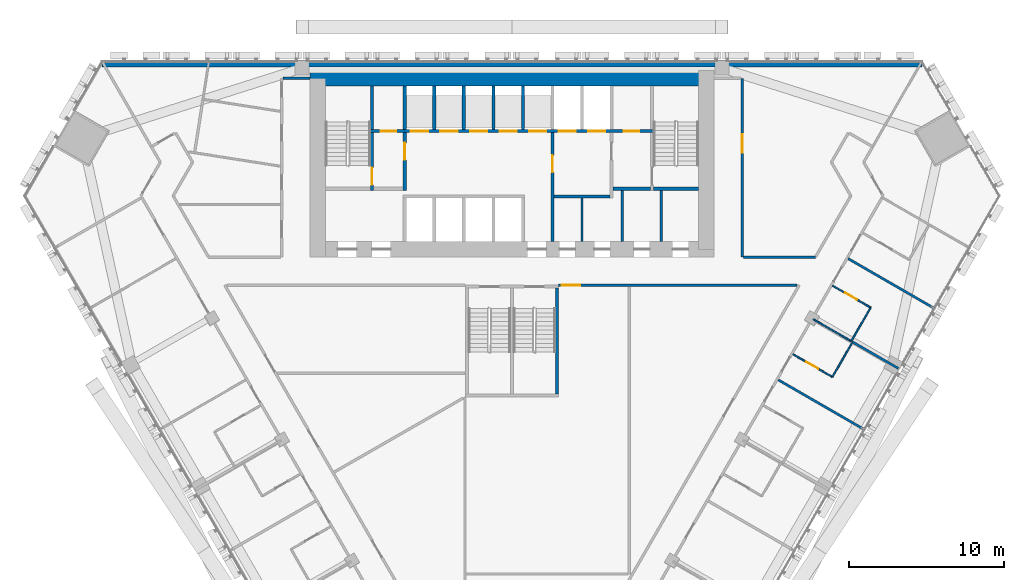
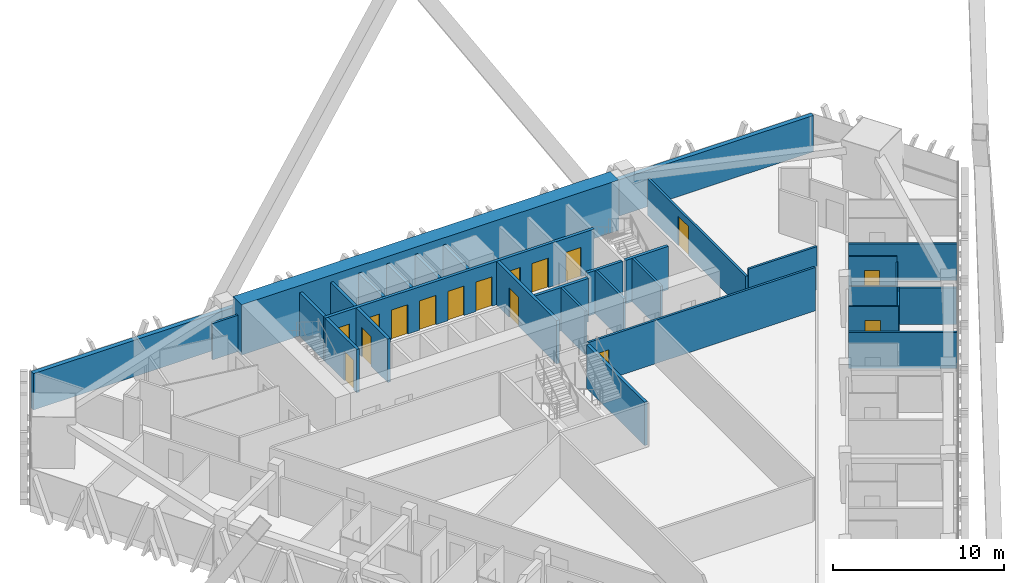
# One storey, part 19 of 24: 31 walls, 16 doors, 16 openings.
"""IFC4 building model written with IfcOpenShell, lengths in metres."""

from ifc_helpers import new_model, si_unit, direction, frame, frame_2d, origin, place, context, subcontext, project, spatial, rectangle, extrude, material, layer, layer_set, type_object, element, fill, save


model = new_model("IFC4")

# Units and contexts
model_context = context("Model", 3, precision=1e-05, world=origin(), true_north=direction((0.0, 1.0)))
body_context = subcontext(model_context, "Body", "Model", "MODEL_VIEW")
ifc_project = project(units=[si_unit("LENGTHUNIT", "METRE"), si_unit("AREAUNIT", "SQUARE_METRE"), si_unit("VOLUMEUNIT", "CUBIC_METRE"), si_unit("PLANEANGLEUNIT", "RADIAN"), si_unit("MASSUNIT", "GRAM", prefix="KILO")], contexts=[model_context])

# Site, building, storey
site_placement = place(None, origin())
site = spatial("IfcSite", under=ifc_project, at=site_placement, CompositionType="ELEMENT")
building_placement = place(site_placement, origin())
building = spatial("IfcBuilding", under=site, at=building_placement, Name="Altiplano Prism Tower", CompositionType="ELEMENT")
storey_placement = place(building_placement, frame((0.0, 0.0, 27.0)))
storey = spatial("IfcBuildingStorey", under=building, at=storey_placement, Name="L05", CompositionType="ELEMENT", Elevation=27.0)

# Walls
ifc_material_1 = material(Name="Concrete C70/85", Category="concrete")
ifc_layer_1 = layer(ifc_material_1, 1.0)
ifc_layer_set_1 = layer_set([ifc_layer_1], Name="Concrete C70/85")
wall_type_1 = type_object("IfcWallType", Name="Core wall 1000", PredefinedType="SHEAR", material=ifc_layer_set_1)
wall_1_placement = place(storey_placement, frame((97.5, 103.89990234375, 0.0), z_axis=(0.0, 0.0, 1.0), x_axis=(-1.0, 0.0, 0.0)))
element("IfcWall", 1, at=wall_1_placement, inside=storey, type_object=wall_type_1, Name="Core wall N L05", PredefinedType="SHEAR", context=body_context, shape_type="SweptSolid", body=[
    extrude(rectangle(XDim=25.5, YDim=1.0, at=frame_2d((12.75, 0.0))), origin(), (0.0, 0.0, 1.0), 3.60009765625),
])
ifc_material_2 = material(Name="Plasterboard on steel stud", Category="steel")
ifc_layer_2 = layer(ifc_material_2, 0.10009765625)
ifc_layer_set_2 = layer_set([ifc_layer_2], Name="Plasterboard on steel stud")
wall_type_2 = type_object("IfcWallType", Name="Partition 100 unit", PredefinedType="PARTITIONING", material=ifc_layer_set_2)
wall_2_placement = place(storey_placement, frame((106.867919921875, 86.87646484375, 0.0), z_axis=(0.0, 0.0, 1.0), x_axis=(-0.499976333282, -0.866039067339, 0.0)))
element("IfcWall", 2, at=wall_2_placement, inside=storey, type_object=wall_type_2, Name="Partition P02 L05 079", PredefinedType="PARTITIONING", context=body_context, shape_type="SweptSolid", body=[
    extrude(rectangle(XDim=2.52490234375, YDim=0.10009765625, at=frame_2d((1.262451171875, 0.0))), origin(), (0.0, 0.0, 1.0), 2.699951171875),
])

# Wall, opening, door
wall_3_placement = place(storey_placement, frame((105.60546875, 84.689697265625, 0.0), z_axis=(0.0, 0.0, 1.0), x_axis=(-0.866046596414, 0.499963291492, 0.0)))
wall_3 = element("IfcWall", 3, at=wall_3_placement, inside=storey, type_object=wall_type_2, Name="Partition P02 L05 080", PredefinedType="PARTITIONING", context=body_context, shape_type="SweptSolid", body=[
    extrude(rectangle(XDim=2.925048828125, YDim=0.10009765625, at=frame_2d((1.46240234375, 0.0))), origin(), (0.0, 0.0, 1.0), 3.10009765625),
])
opening_1_placement = place(wall_3_placement, frame((1.050048828125, 0.0, 0.0)))
opening_1 = element("IfcOpeningElement", 4, at=opening_1_placement, cuts=wall_3, Name="Opening D0167", PredefinedType="OPENING", context=body_context, shape_type="SweptSolid", body=[
    extrude(rectangle(XDim=0.89990234375, YDim=2.10009765625, at=frame_2d((0.449951171875, 1.050048828125))), frame((0.0, 0.060546875, 0.0), z_axis=(0.0, -1.0, 0.0), x_axis=(1.0, 0.0, 0.0)), (0.0, 0.0, 1.0), 0.12109375),
])
ifc_material_3 = material(Name="Timber", Category="wood")
door_type_1 = type_object("IfcDoorType", Name="Ensuite door 900 x 2100", OperationType="NOTDEFINED", PredefinedType="NOTDEFINED", material=ifc_material_3)
door_1_placement = place(opening_1_placement, origin())
door_1 = element("IfcDoor", 5, at=door_1_placement, inside=storey, type_object=door_type_1, Name="Door D0167", OperationType="SINGLE_SWING_RIGHT", OverallHeight=2.10009765625, OverallWidth=0.89990234375, PredefinedType="NOTDEFINED", context=body_context, shape_type="SweptSolid", body=[
    extrude(rectangle(XDim=0.89990234375, YDim=2.10009765625, at=frame_2d((0.449951171875, 1.050048828125))), frame((0.0, 0.02490234375, 0.0), z_axis=(0.0, -1.0, 0.0), x_axis=(1.0, 0.0, 0.0)), (0.0, 0.0, 1.0), 0.050048828125),
])
fill(opening_1, door_1)

wall_4_placement = place(storey_placement, frame((105.618896484375, 90.5625, 0.0), z_axis=(0.0, 0.0, 1.0), x_axis=(0.867321505614, -0.497748335908, 0.0)))
wall_4 = element("IfcWall", 6, at=wall_4_placement, inside=storey, type_object=wall_type_2, Name="Partition P02 L05 083", PredefinedType="PARTITIONING", context=body_context, shape_type="SweptSolid", body=[
    extrude(rectangle(XDim=2.82470703125, YDim=0.10009765625, at=frame_2d((1.412353515625, 0.0))), origin(), (0.0, 0.0, 1.0), 3.10009765625),
])
opening_2_placement = place(wall_4_placement, frame((0.922119140625, 0.0, 0.0)))
opening_2 = element("IfcOpeningElement", 7, at=opening_2_placement, cuts=wall_4, Name="Opening D0169", PredefinedType="OPENING", context=body_context, shape_type="SweptSolid", body=[
    extrude(rectangle(XDim=0.89990234375, YDim=2.10009765625, at=frame_2d((0.449951171875, 1.050048828125))), frame((0.0, 0.060546875, 0.0), z_axis=(0.0, -1.0, 0.0), x_axis=(1.0, 0.0, 0.0)), (0.0, 0.0, 1.0), 0.12109375),
])
door_2_placement = place(opening_2_placement, origin())
door_2 = element("IfcDoor", 8, at=door_2_placement, inside=storey, type_object=door_type_1, Name="Door D0169", OperationType="SINGLE_SWING_LEFT", OverallHeight=2.10009765625, OverallWidth=0.89990234375, PredefinedType="NOTDEFINED", context=body_context, shape_type="SweptSolid", body=[
    extrude(rectangle(XDim=0.89990234375, YDim=2.10009765625, at=frame_2d((0.449951171875, 1.050048828125))), frame((0.0, 0.02490234375, 0.0), z_axis=(0.0, -1.0, 0.0), x_axis=(1.0, 0.0, 0.0)), (0.0, 0.0, 1.0), 0.050048828125),
])
fill(opening_2, door_2)

# Walls
wall_5_placement = place(storey_placement, frame((108.06884765625, 89.156494140625, 0.0), z_axis=(0.0, 0.0, 1.0), x_axis=(-0.500004234368, -0.866022959057, 0.0)))
element("IfcWall", 9, at=wall_5_placement, inside=storey, type_object=wall_type_2, Name="Partition P02 L05 084", PredefinedType="PARTITIONING", context=body_context, shape_type="SweptSolid", body=[
    extrude(rectangle(XDim=2.5, YDim=0.10009765625, at=frame_2d((1.25, 0.0))), origin(), (0.0, 0.0, 1.0), 2.699951171875),
])
ifc_layer_3 = layer(ifc_material_2, 0.10009765625)
ifc_layer_set_3 = layer_set([ifc_layer_3], Name="Plasterboard on steel stud")
wall_type_3 = type_object("IfcWallType", Name="Partition 100 wet", PredefinedType="PARTITIONING", material=ifc_layer_set_3)
wall_6_placement = place(storey_placement, frame((106.81884765625, 86.991455078125, 0.0), z_axis=(0.0, 0.0, 1.0), x_axis=(-0.866048868473, 0.499959355765, 0.0)))
element("IfcWall", 10, at=wall_6_placement, inside=storey, type_object=wall_type_3, Name="Partition P03 L05 082", PredefinedType="PARTITIONING", context=body_context, shape_type="SweptSolid", body=[
    extrude(rectangle(XDim=2.824951171875, YDim=0.10009765625, at=frame_2d((1.41259765625, 0.0))), origin(), (0.0, 0.0, 1.0), 2.699951171875),
])
ifc_layer_4 = layer(ifc_material_2, 0.14990234375)
ifc_layer_set_4 = layer_set([ifc_layer_4], Name="Plasterboard on steel stud")
wall_type_4 = type_object("IfcWallType", Name="Partition 150 corridor", PredefinedType="PARTITIONING", material=ifc_layer_set_4)
wall_7_placement = place(storey_placement, frame((72.0, 103.89990234375, 0.0), z_axis=(0.0, 0.0, 1.0), x_axis=(-1.0, 0.0, 0.0)))
element("IfcWall", 11, at=wall_7_placement, inside=storey, type_object=wall_type_4, Name="Partition P06 L05 001", PredefinedType="PARTITIONING", context=body_context, shape_type="SweptSolid", body=[
    extrude(rectangle(XDim=1.72509765625, YDim=0.14990234375, at=frame_2d((0.862548828125, 0.0))), origin(), (0.0, 0.0, 1.0), 2.60009765625),
])

# Wall, opening, door
wall_8_placement = place(storey_placement, frame((88.0, 90.59912109375, 0.0), z_axis=(0.0, 0.0, 1.0), x_axis=(0.999999997975, 6.3639545e-05, 0.0)))
wall_8 = element("IfcWall", 12, at=wall_8_placement, inside=storey, type_object=wall_type_4, Name="Partition P06 L05 016", PredefinedType="PARTITIONING", context=body_context, shape_type="SweptSolid", body=[
    extrude(rectangle(XDim=15.34521484375, YDim=0.14990234375, at=frame_2d((7.672607421875, 0.0))), origin(), (0.0, 0.0, 1.0), 3.10009765625),
])
opening_3_placement = place(wall_8_placement, frame((0.199951171875, 0.0, 0.0)))
opening_3 = element("IfcOpeningElement", 13, at=opening_3_placement, cuts=wall_8, Name="Opening D0173", PredefinedType="OPENING", context=body_context, shape_type="SweptSolid", body=[
    extrude(rectangle(XDim=1.199951171875, YDim=2.10009765625, at=frame_2d((0.60009765625, 1.050048828125))), frame((0.0, 0.08544921875, 0.0), z_axis=(0.0, -1.0, 0.0), x_axis=(1.0, 0.0, 0.0)), (0.0, 0.0, 1.0), 0.1708984375),
])
door_type_2 = type_object("IfcDoorType", Name="Shared room door 1200 x 2100", OperationType="NOTDEFINED", PredefinedType="NOTDEFINED", material=ifc_material_3)
door_3_placement = place(opening_3_placement, origin())
door_3 = element("IfcDoor", 14, at=door_3_placement, inside=storey, type_object=door_type_2, Name="Door D0173", OperationType="SINGLE_SWING_RIGHT", OverallHeight=2.10009765625, OverallWidth=1.199951171875, PredefinedType="NOTDEFINED", context=body_context, shape_type="SweptSolid", body=[
    extrude(rectangle(XDim=1.199951171875, YDim=2.10009765625, at=frame_2d((0.60009765625, 1.050048828125))), frame((0.0, 0.02490234375, 0.0), z_axis=(0.0, -1.0, 0.0), x_axis=(1.0, 0.0, 0.0)), (0.0, 0.0, 1.0), 0.050048828125),
])
fill(opening_3, door_3)

# Wall
wall_9_placement = place(storey_placement, frame((104.514404296875, 92.39990234375, 0.0), z_axis=(0.0, 0.0, 1.0), x_axis=(-1.0, 0.0, 0.0)))
element("IfcWall", 15, at=wall_9_placement, inside=storey, type_object=wall_type_4, Name="Partition P06 L05 022", PredefinedType="PARTITIONING", context=body_context, shape_type="SweptSolid", body=[
    extrude(rectangle(XDim=4.639404296875, YDim=0.14990234375, at=frame_2d((2.31982421875, 0.0))), origin(), (0.0, 0.0, 1.0), 3.10009765625),
])

# Wall, opening, door
wall_10_placement = place(storey_placement, frame((99.800048828125, 92.39990234375, 0.0), z_axis=(0.0, 0.0, 1.0), x_axis=(0.0, 1.0, 0.0)))
wall_10 = element("IfcWall", 16, at=wall_10_placement, inside=storey, type_object=wall_type_4, Name="Partition P06 L05 023", PredefinedType="PARTITIONING", context=body_context, shape_type="SweptSolid", body=[
    extrude(rectangle(XDim=11.5, YDim=0.14990234375, at=frame_2d((5.75, 0.0))), origin(), (0.0, 0.0, 1.0), 2.60009765625),
])
opening_4_placement = place(wall_10_placement, frame((6.714111328125, 0.0, 0.0)))
opening_4 = element("IfcOpeningElement", 17, at=opening_4_placement, cuts=wall_10, Name="Opening D0175", PredefinedType="OPENING", context=body_context, shape_type="SweptSolid", body=[
    extrude(rectangle(XDim=1.199951171875, YDim=2.10009765625, at=frame_2d((0.60009765625, 1.050048828125))), frame((0.0, 0.08544921875, 0.0), z_axis=(0.0, -1.0, 0.0), x_axis=(1.0, 0.0, 0.0)), (0.0, 0.0, 1.0), 0.1708984375),
])
door_4_placement = place(opening_4_placement, origin())
door_4 = element("IfcDoor", 18, at=door_4_placement, inside=storey, type_object=door_type_2, Name="Door D0175", OperationType="SINGLE_SWING_RIGHT", OverallHeight=2.10009765625, OverallWidth=1.199951171875, PredefinedType="NOTDEFINED", context=body_context, shape_type="SweptSolid", body=[
    extrude(rectangle(XDim=1.199951171875, YDim=2.10009765625, at=frame_2d((0.60009765625, 1.050048828125))), frame((0.0, 0.02490234375, 0.0), z_axis=(0.0, -1.0, 0.0), x_axis=(1.0, 0.0, 0.0)), (0.0, 0.0, 1.0), 0.050048828125),
])
fill(opening_4, door_4)

# Walls
ifc_layer_5 = layer(ifc_material_2, 0.14990234375)
ifc_layer_set_5 = layer_set([ifc_layer_5], Name="Plasterboard on steel stud")
wall_type_5 = type_object("IfcWallType", Name="Partition 150 party", PredefinedType="PARTITIONING", material=ifc_layer_set_5)
wall_11_placement = place(storey_placement, frame((107.617431640625, 81.334228515625, 0.0), z_axis=(0.0, 0.0, 1.0), x_axis=(-0.866025401434, 0.500000004071, 0.0)))
element("IfcWall", 19, at=wall_11_placement, inside=storey, type_object=wall_type_5, Name="Partition P01 L05 078", PredefinedType="PARTITIONING", context=body_context, shape_type="SweptSolid", body=[
    extrude(rectangle(XDim=6.34521484375, YDim=0.14990234375, at=frame_2d((3.172607421875, 0.0))), origin(), (0.0, 0.0, 1.0), 2.60009765625),
])
wall_12_placement = place(storey_placement, frame((109.849853515625, 85.241455078125, 0.0), z_axis=(0.0, 0.0, 1.0), x_axis=(-0.866020337685, 0.500008774639, 0.0)))
element("IfcWall", 20, at=wall_12_placement, inside=storey, type_object=wall_type_5, Name="Partition P01 L05 081", PredefinedType="PARTITIONING", context=body_context, shape_type="SweptSolid", body=[
    extrude(rectangle(XDim=3.419921875, YDim=0.14990234375, at=frame_2d((1.7099609375, 0.0))), origin(), (0.0, 0.0, 1.0), 2.60009765625),
])
wall_13_placement = place(storey_placement, frame((112.117431640625, 89.12841796875, 0.0), z_axis=(0.0, 0.0, 1.0), x_axis=(-0.866025401434, 0.500000004071, 0.0)))
element("IfcWall", 21, at=wall_13_placement, inside=storey, type_object=wall_type_5, Name="Partition P01 L05 085", PredefinedType="PARTITIONING", context=body_context, shape_type="SweptSolid", body=[
    extrude(rectangle(XDim=6.34521484375, YDim=0.14990234375, at=frame_2d((3.172607421875, 0.0))), origin(), (0.0, 0.0, 1.0), 2.60009765625),
])
ifc_material_4 = material(Name="Fire-rated gypsum board partition")
ifc_layer_6 = layer(ifc_material_4, 0.14990234375)
ifc_layer_set_6 = layer_set([ifc_layer_6], Name="Fire-rated gypsum board partition")
wall_type_6 = type_object("IfcWallType", Name="Room partition 150", PredefinedType="PARTITIONING", material=ifc_layer_set_6)
wall_14_placement = place(storey_placement, frame((89.5, 93.39990234375, 0.0), z_axis=(0.0, 0.0, 1.0), x_axis=(0.0, 1.0, 0.0)))
element("IfcWall", 22, at=wall_14_placement, inside=storey, type_object=wall_type_6, Name="Room partition L05", PredefinedType="PARTITIONING", context=body_context, shape_type="SweptSolid", body=[
    extrude(rectangle(XDim=2.800048828125, YDim=0.14990234375, at=frame_2d((1.39990234375, 0.0))), origin(), (0.0, 0.0, 1.0), 3.10009765625),
])
for number, where, z_axis, x_axis, name in (
    (23, (92.10009765625, 93.39990234375, 0.0), (0.0, 0.0, 1.0), (0.0, 1.0, 0.0), "Room partition L05"),
    (24, (94.60009765625, 93.39990234375, 0.0), (0.0, 0.0, 1.0), (0.0, 1.0, 0.0), "Room partition L05"),
):
    element("IfcWall", number, at=place(storey_placement, frame(where, z_axis=z_axis, x_axis=x_axis)), inside=storey, type_object=wall_type_6, Name=name, PredefinedType="PARTITIONING", context=body_context, shape_type="SweptSolid", body=[
        extrude(rectangle(XDim=3.300048828125, YDim=0.14990234375, at=frame_2d((1.64990234375, 0.0))), origin(), (0.0, 0.0, 1.0), 3.10009765625),
    ])
ifc_material_5 = material(Name="Concrete C60/75", Category="concrete")
ifc_layer_7 = layer(ifc_material_5, 0.199951171875)
ifc_layer_set_7 = layer_set([ifc_layer_7], Name="Concrete C60/75")
wall_type_7 = type_object("IfcWallType", Name="Shaft wall 200", PredefinedType="SOLIDWALL", material=ifc_layer_set_7)
for number, where, z_axis, x_axis, name in (
    (25, (78.10009765625, 100.60009765625, 0.0), (0.0, 0.0, 1.0), (0.0, 1.0, 0.0), "Shaft wall L05"),
    (26, (80.0, 100.60009765625, 0.0), (0.0, 0.0, 1.0), (0.0, 1.0, 0.0), "Shaft wall L05"),
    (27, (81.89990234375, 100.60009765625, 0.0), (0.0, 0.0, 1.0), (0.0, 1.0, 0.0), "Shaft wall L05"),
    (28, (83.800048828125, 100.60009765625, 0.0), (0.0, 0.0, 1.0), (0.0, 1.0, 0.0), "Shaft wall L05"),
    (29, (85.699951171875, 100.60009765625, 0.0), (0.0, 0.0, 1.0), (0.0, 1.0, 0.0), "Shaft wall L05"),
):
    element("IfcWall", number, at=place(storey_placement, frame(where, z_axis=z_axis, x_axis=x_axis)), inside=storey, type_object=wall_type_7, Name=name, PredefinedType="SOLIDWALL", context=body_context, shape_type="SweptSolid", body=[
        extrude(rectangle(XDim=2.7998046875, YDim=0.199951171875, at=frame_2d((1.39990234375, 0.0))), origin(), (0.0, 0.0, 1.0), 3.10009765625),
    ])

# Wall, opening, door
ifc_layer_8 = layer(ifc_material_5, 0.199951171875)
ifc_layer_set_8 = layer_set([ifc_layer_8], Name="Concrete C60/75")
wall_type_8 = type_object("IfcWallType", Name="Stair wall 200", PredefinedType="SOLIDWALL", material=ifc_layer_set_8)
wall_15_placement = place(storey_placement, frame((76.0, 96.699951171875, 0.0), z_axis=(0.0, 0.0, 1.0), x_axis=(0.0, 1.0, 0.0)))
wall_15 = element("IfcWall", 30, at=wall_15_placement, inside=storey, type_object=wall_type_8, Name="Stair wall L05", PredefinedType="SOLIDWALL", context=body_context, shape_type="SweptSolid", body=[
    extrude(rectangle(XDim=3.699951171875, YDim=0.199951171875, at=frame_2d((1.85009765625, 0.0))), origin(), (0.0, 0.0, 1.0), 3.10009765625),
])
opening_5_placement = place(wall_15_placement, frame((0.35009765625, 0.0, 0.0)))
opening_5 = element("IfcOpeningElement", 31, at=opening_5_placement, cuts=wall_15, Name="Opening D2654", PredefinedType="OPENING", context=body_context, shape_type="SweptSolid", body=[
    extrude(rectangle(XDim=1.10009765625, YDim=2.10009765625, at=frame_2d((0.550048828125, 1.050048828125))), frame((0.0, 0.1103515625, 0.0), z_axis=(0.0, -1.0, 0.0), x_axis=(1.0, 0.0, 0.0)), (0.0, 0.0, 1.0), 0.220947265625),
])
ifc_material_6 = material(Name="Fire-rated steel door", Category="steel")
door_type_3 = type_object("IfcDoorType", Name="Stair fire door 1100 x 2100", OperationType="NOTDEFINED", PredefinedType="NOTDEFINED", material=ifc_material_6)
door_5_placement = place(opening_5_placement, origin())
door_5 = element("IfcDoor", 32, at=door_5_placement, inside=storey, type_object=door_type_3, Name="Stair fire door D2654", OperationType="SINGLE_SWING_RIGHT", OverallHeight=2.10009765625, OverallWidth=1.10009765625, PredefinedType="NOTDEFINED", context=body_context, shape_type="SweptSolid", body=[
    extrude(rectangle(XDim=1.10009765625, YDim=2.10009765625, at=frame_2d((0.550048828125, 1.050048828125))), frame((0.0, 0.02490234375, 0.0), z_axis=(0.0, -1.0, 0.0), x_axis=(1.0, 0.0, 0.0)), (0.0, 0.0, 1.0), 0.050048828125),
])
fill(opening_5, door_5)

# Wall
wall_16_placement = place(storey_placement, frame((94.10009765625, 96.800048828125, 0.0), z_axis=(0.0, 0.0, 1.0), x_axis=(1.0, 0.0, 0.0)))
element("IfcWall", 33, at=wall_16_placement, inside=storey, type_object=wall_type_8, Name="Stair wall L05", PredefinedType="SOLIDWALL", context=body_context, shape_type="SweptSolid", body=[
    extrude(rectangle(XDim=2.89990234375, YDim=0.199951171875, at=frame_2d((1.449951171875, 0.0))), origin(), (0.0, 0.0, 1.0), 3.10009765625),
])

# Wall, openings, doors
wall_17_placement = place(storey_placement, frame((75.89990234375, 100.5, 0.0), z_axis=(0.0, 0.0, 1.0), x_axis=(1.0, 0.0, 0.0)))
wall_17 = element("IfcWall", 34, at=wall_17_placement, inside=storey, type_object=wall_type_8, Name="Stair wall L05", PredefinedType="SOLIDWALL", context=body_context, shape_type="SweptSolid", body=[
    extrude(rectangle(XDim=18.2001953125, YDim=0.199951171875, at=frame_2d((9.10009765625, 0.0))), origin(), (0.0, 0.0, 1.0), 3.10009765625),
])
opening_6_placement = place(wall_17_placement, frame((2.60009765625, 0.0, 0.0)))
opening_6 = element("IfcOpeningElement", 35, at=opening_6_placement, cuts=wall_17, Name="Opening LD-LL1-L05", PredefinedType="OPENING", context=body_context, shape_type="SweptSolid", body=[
    extrude(rectangle(XDim=1.10009765625, YDim=2.10009765625, at=frame_2d((0.550048828125, 1.050048828125))), frame((0.0, 0.1103515625, 0.0), z_axis=(0.0, -1.0, 0.0), x_axis=(1.0, 0.0, 0.0)), (0.0, 0.0, 1.0), 0.220947265625),
])
opening_7_placement = place(wall_17_placement, frame((4.5, 0.0, 0.0)))
opening_7 = element("IfcOpeningElement", 36, at=opening_7_placement, cuts=wall_17, Name="Opening LD-LL2-L05", PredefinedType="OPENING", context=body_context, shape_type="SweptSolid", body=[
    extrude(rectangle(XDim=1.10009765625, YDim=2.10009765625, at=frame_2d((0.550048828125, 1.050048828125))), frame((0.0, 0.1103515625, 0.0), z_axis=(0.0, -1.0, 0.0), x_axis=(1.0, 0.0, 0.0)), (0.0, 0.0, 1.0), 0.220947265625),
])
opening_8_placement = place(wall_17_placement, frame((6.39990234375, 0.0, 0.0)))
opening_8 = element("IfcOpeningElement", 37, at=opening_8_placement, cuts=wall_17, Name="Opening LD-LL3-L05", PredefinedType="OPENING", context=body_context, shape_type="SweptSolid", body=[
    extrude(rectangle(XDim=1.10009765625, YDim=2.10009765625, at=frame_2d((0.550048828125, 1.050048828125))), frame((0.0, 0.1103515625, 0.0), z_axis=(0.0, -1.0, 0.0), x_axis=(1.0, 0.0, 0.0)), (0.0, 0.0, 1.0), 0.220947265625),
])
opening_9_placement = place(wall_17_placement, frame((8.300048828125, 0.0, 0.0)))
opening_9 = element("IfcOpeningElement", 38, at=opening_9_placement, cuts=wall_17, Name="Opening LD-LL4-L05", PredefinedType="OPENING", context=body_context, shape_type="SweptSolid", body=[
    extrude(rectangle(XDim=1.10009765625, YDim=2.10009765625, at=frame_2d((0.550048828125, 1.050048828125))), frame((0.0, 0.1103515625, 0.0), z_axis=(0.0, -1.0, 0.0), x_axis=(1.0, 0.0, 0.0)), (0.0, 0.0, 1.0), 0.220947265625),
])
opening_10_placement = place(wall_17_placement, frame((10.199951171875, 0.0, 0.0)))
opening_10 = element("IfcOpeningElement", 39, at=opening_10_placement, cuts=wall_17, Name="Opening LD-LL5-L05", PredefinedType="OPENING", context=body_context, shape_type="SweptSolid", body=[
    extrude(rectangle(XDim=1.10009765625, YDim=2.10009765625, at=frame_2d((0.550048828125, 1.050048828125))), frame((0.0, 0.1103515625, 0.0), z_axis=(0.0, -1.0, 0.0), x_axis=(1.0, 0.0, 0.0)), (0.0, 0.0, 1.0), 0.220947265625),
])
opening_11_placement = place(wall_17_placement, frame((12.10009765625, 0.0, 0.0)))
opening_11 = element("IfcOpeningElement", 40, at=opening_11_placement, cuts=wall_17, Name="Opening LD-FF1-L05", PredefinedType="OPENING", context=body_context, shape_type="SweptSolid", body=[
    extrude(rectangle(XDim=1.10009765625, YDim=2.10009765625, at=frame_2d((0.550048828125, 1.050048828125))), frame((0.0, 0.1103515625, 0.0), z_axis=(0.0, -1.0, 0.0), x_axis=(1.0, 0.0, 0.0)), (0.0, 0.0, 1.0), 0.220947265625),
])
opening_12_placement = place(wall_17_placement, frame((14.0, 0.0, 0.0)))
opening_12 = element("IfcOpeningElement", 41, at=opening_12_placement, cuts=wall_17, Name="Opening LD-FF2-L05", PredefinedType="OPENING", context=body_context, shape_type="SweptSolid", body=[
    extrude(rectangle(XDim=1.10009765625, YDim=2.10009765625, at=frame_2d((0.550048828125, 1.050048828125))), frame((0.0, 0.1103515625, 0.0), z_axis=(0.0, -1.0, 0.0), x_axis=(1.0, 0.0, 0.0)), (0.0, 0.0, 1.0), 0.220947265625),
])
opening_13_placement = place(wall_17_placement, frame((0.64990234375, 0.0, 0.0)))
opening_13 = element("IfcOpeningElement", 42, at=opening_13_placement, cuts=wall_17, Name="Opening D2662", PredefinedType="OPENING", context=body_context, shape_type="SweptSolid", body=[
    extrude(rectangle(XDim=1.0, YDim=2.10009765625, at=frame_2d((0.5, 1.050048828125))), frame((0.0, 0.1103515625, 0.0), z_axis=(0.0, -1.0, 0.0), x_axis=(1.0, 0.0, 0.0)), (0.0, 0.0, 1.0), 0.220947265625),
])
opening_14_placement = place(wall_17_placement, frame((16.300048828125, 0.0, 0.0)))
opening_14 = element("IfcOpeningElement", 43, at=opening_14_placement, cuts=wall_17, Name="Opening D2663", PredefinedType="OPENING", context=body_context, shape_type="SweptSolid", body=[
    extrude(rectangle(XDim=1.0, YDim=2.10009765625, at=frame_2d((0.5, 1.050048828125))), frame((0.0, 0.1103515625, 0.0), z_axis=(0.0, -1.0, 0.0), x_axis=(1.0, 0.0, 0.0)), (0.0, 0.0, 1.0), 0.220947265625),
])
door_type_4 = type_object("IfcDoorType", Name="Core room door 1000 x 2100", OperationType="NOTDEFINED", PredefinedType="NOTDEFINED", material=ifc_material_6)
door_6_placement = place(opening_13_placement, origin())
door_6 = element("IfcDoor", 44, at=door_6_placement, inside=storey, type_object=door_type_4, Name="Core room door D2662", OperationType="SINGLE_SWING_LEFT", OverallHeight=2.10009765625, OverallWidth=1.0, PredefinedType="NOTDEFINED", context=body_context, shape_type="SweptSolid", body=[
    extrude(rectangle(XDim=1.0, YDim=2.10009765625, at=frame_2d((0.5, 1.050048828125))), frame((0.0, 0.02490234375, 0.0), z_axis=(0.0, -1.0, 0.0), x_axis=(1.0, 0.0, 0.0)), (0.0, 0.0, 1.0), 0.050048828125),
])
fill(opening_13, door_6)
door_7_placement = place(opening_14_placement, origin())
door_7 = element("IfcDoor", 45, at=door_7_placement, inside=storey, type_object=door_type_4, Name="Core room door D2663", OperationType="SINGLE_SWING_RIGHT", OverallHeight=2.10009765625, OverallWidth=1.0, PredefinedType="NOTDEFINED", context=body_context, shape_type="SweptSolid", body=[
    extrude(rectangle(XDim=1.0, YDim=2.10009765625, at=frame_2d((0.5, 1.050048828125))), frame((0.0, 0.02490234375, 0.0), z_axis=(0.0, -1.0, 0.0), x_axis=(1.0, 0.0, 0.0)), (0.0, 0.0, 1.0), 0.050048828125),
])
fill(opening_14, door_7)
ifc_material_7 = material(Name="Stainless steel landing door", Category="steel")
door_type_5 = type_object("IfcDoorType", Name="Landing door 1100 x 2100", OperationType="NOTDEFINED", PredefinedType="NOTDEFINED", material=ifc_material_7)
door_8_placement = place(opening_6_placement, origin())
door_8 = element("IfcDoor", 46, at=door_8_placement, inside=storey, type_object=door_type_5, Name="Landing doors LL1", OperationType="SLIDING_TO_RIGHT", OverallHeight=2.10009765625, OverallWidth=1.10009765625, PredefinedType="NOTDEFINED", context=body_context, shape_type="SweptSolid", body=[
    extrude(rectangle(XDim=1.10009765625, YDim=2.10009765625, at=frame_2d((0.550048828125, 1.050048828125))), frame((0.0, 0.02490234375, 0.0), z_axis=(0.0, -1.0, 0.0), x_axis=(1.0, 0.0, 0.0)), (0.0, 0.0, 1.0), 0.050048828125),
])
fill(opening_6, door_8)
door_9_placement = place(opening_7_placement, origin())
door_9 = element("IfcDoor", 47, at=door_9_placement, inside=storey, type_object=door_type_5, Name="Landing doors LL2", OperationType="SLIDING_TO_LEFT", OverallHeight=2.10009765625, OverallWidth=1.10009765625, PredefinedType="NOTDEFINED", context=body_context, shape_type="SweptSolid", body=[
    extrude(rectangle(XDim=1.10009765625, YDim=2.10009765625, at=frame_2d((0.550048828125, 1.050048828125))), frame((0.0, 0.02490234375, 0.0), z_axis=(0.0, -1.0, 0.0), x_axis=(1.0, 0.0, 0.0)), (0.0, 0.0, 1.0), 0.050048828125),
])
fill(opening_7, door_9)
door_10_placement = place(opening_8_placement, origin())
door_10 = element("IfcDoor", 48, at=door_10_placement, inside=storey, type_object=door_type_5, Name="Landing doors LL3", OperationType="SLIDING_TO_RIGHT", OverallHeight=2.10009765625, OverallWidth=1.10009765625, PredefinedType="NOTDEFINED", context=body_context, shape_type="SweptSolid", body=[
    extrude(rectangle(XDim=1.10009765625, YDim=2.10009765625, at=frame_2d((0.550048828125, 1.050048828125))), frame((0.0, 0.02490234375, 0.0), z_axis=(0.0, -1.0, 0.0), x_axis=(1.0, 0.0, 0.0)), (0.0, 0.0, 1.0), 0.050048828125),
])
fill(opening_8, door_10)
door_11_placement = place(opening_9_placement, origin())
door_11 = element("IfcDoor", 49, at=door_11_placement, inside=storey, type_object=door_type_5, Name="Landing doors LL4", OperationType="SLIDING_TO_LEFT", OverallHeight=2.10009765625, OverallWidth=1.10009765625, PredefinedType="NOTDEFINED", context=body_context, shape_type="SweptSolid", body=[
    extrude(rectangle(XDim=1.10009765625, YDim=2.10009765625, at=frame_2d((0.550048828125, 1.050048828125))), frame((0.0, 0.02490234375, 0.0), z_axis=(0.0, -1.0, 0.0), x_axis=(1.0, 0.0, 0.0)), (0.0, 0.0, 1.0), 0.050048828125),
])
fill(opening_9, door_11)
door_12_placement = place(opening_10_placement, origin())
door_12 = element("IfcDoor", 50, at=door_12_placement, inside=storey, type_object=door_type_5, Name="Landing doors LL5", OperationType="SLIDING_TO_RIGHT", OverallHeight=2.10009765625, OverallWidth=1.10009765625, PredefinedType="NOTDEFINED", context=body_context, shape_type="SweptSolid", body=[
    extrude(rectangle(XDim=1.10009765625, YDim=2.10009765625, at=frame_2d((0.550048828125, 1.050048828125))), frame((0.0, 0.02490234375, 0.0), z_axis=(0.0, -1.0, 0.0), x_axis=(1.0, 0.0, 0.0)), (0.0, 0.0, 1.0), 0.050048828125),
])
fill(opening_10, door_12)
door_13_placement = place(opening_11_placement, origin())
door_13 = element("IfcDoor", 51, at=door_13_placement, inside=storey, type_object=door_type_5, Name="Landing doors FF1", OperationType="SLIDING_TO_RIGHT", OverallHeight=2.10009765625, OverallWidth=1.10009765625, PredefinedType="NOTDEFINED", context=body_context, shape_type="SweptSolid", body=[
    extrude(rectangle(XDim=1.10009765625, YDim=2.10009765625, at=frame_2d((0.550048828125, 1.050048828125))), frame((0.0, 0.02490234375, 0.0), z_axis=(0.0, -1.0, 0.0), x_axis=(1.0, 0.0, 0.0)), (0.0, 0.0, 1.0), 0.050048828125),
])
fill(opening_11, door_13)
door_14_placement = place(opening_12_placement, origin())
door_14 = element("IfcDoor", 52, at=door_14_placement, inside=storey, type_object=door_type_5, Name="Landing doors FF2", OperationType="SLIDING_TO_LEFT", OverallHeight=2.10009765625, OverallWidth=1.10009765625, PredefinedType="NOTDEFINED", context=body_context, shape_type="SweptSolid", body=[
    extrude(rectangle(XDim=1.10009765625, YDim=2.10009765625, at=frame_2d((0.550048828125, 1.050048828125))), frame((0.0, 0.02490234375, 0.0), z_axis=(0.0, -1.0, 0.0), x_axis=(1.0, 0.0, 0.0)), (0.0, 0.0, 1.0), 0.050048828125),
])
fill(opening_12, door_14)

# Walls
wall_18_placement = place(storey_placement, frame((76.0, 100.60009765625, 0.0), z_axis=(0.0, 0.0, 1.0), x_axis=(0.0, 1.0, 0.0)))
element("IfcWall", 53, at=wall_18_placement, inside=storey, type_object=wall_type_8, Name="Stair wall L05", PredefinedType="SOLIDWALL", context=body_context, shape_type="SweptSolid", body=[
    extrude(rectangle(XDim=2.7998046875, YDim=0.199951171875, at=frame_2d((1.39990234375, 0.0))), origin(), (0.0, 0.0, 1.0), 3.10009765625),
])
wall_19_placement = place(storey_placement, frame((87.89990234375, 83.60009765625, 0.0), z_axis=(0.0, 0.0, 1.0), x_axis=(0.0, 1.0, 0.0)))
element("IfcWall", 54, at=wall_19_placement, inside=storey, type_object=wall_type_8, Name="Stair 3 wall east L05", PredefinedType="SOLIDWALL", context=body_context, shape_type="SweptSolid", body=[
    extrude(rectangle(XDim=6.7998046875, YDim=0.199951171875, at=frame_2d((3.39990234375, 0.0))), origin(), (0.0, 0.0, 1.0), 3.10009765625),
])
ifc_material_8 = material(Name="Concrete C40", Category="concrete")
ifc_layer_9 = layer(ifc_material_8, 0.300048828125)
ifc_layer_set_9 = layer_set([ifc_layer_9], Name="Concrete C40")
wall_type_9 = type_object("IfcWallType", Name="Stone-clad external wall 300", PredefinedType="SOLIDWALL", material=ifc_layer_set_9)
wall_20_placement = place(storey_placement, frame((58.626953125, 104.7900390625, 0.0), z_axis=(0.0, 0.0, 1.0), x_axis=(1.0, 0.0, 0.0)))
element("IfcWall", 55, at=wall_20_placement, inside=storey, type_object=wall_type_9, Name="External wall north face L05", PredefinedType="SOLIDWALL", context=body_context, shape_type="SweptSolid", body=[
    extrude(rectangle(XDim=52.74609375, YDim=0.300048828125, at=frame_2d((26.373046875, 0.0))), origin(), (0.0, 0.0, 1.0), 2.60009765625),
])

# Wall, opening, door
ifc_layer_10 = layer(ifc_material_5, 0.199951171875)
ifc_layer_set_10 = layer_set([ifc_layer_10], Name="Concrete C60/75")
wall_type_10 = type_object("IfcWallType", Name="Vestibule wall 200", PredefinedType="PARTITIONING", material=ifc_layer_set_10)
wall_21_placement = place(storey_placement, frame((87.60009765625, 93.39990234375, 0.0), z_axis=(0.0, 0.0, 1.0), x_axis=(0.0, 1.0, 0.0)))
wall_21 = element("IfcWall", 56, at=wall_21_placement, inside=storey, type_object=wall_type_10, Name="Vestibule wall L05", PredefinedType="PARTITIONING", context=body_context, shape_type="SweptSolid", body=[
    extrude(rectangle(XDim=7.0, YDim=0.199951171875, at=frame_2d((3.5, 0.0))), origin(), (0.0, 0.0, 1.0), 3.10009765625),
])
opening_15_placement = place(wall_21_placement, frame((4.449951171875, 0.0, 0.0)))
opening_15 = element("IfcOpeningElement", 57, at=opening_15_placement, cuts=wall_21, Name="Opening D2657", PredefinedType="OPENING", context=body_context, shape_type="SweptSolid", body=[
    extrude(rectangle(XDim=1.10009765625, YDim=2.10009765625, at=frame_2d((0.550048828125, 1.050048828125))), frame((0.0, 0.1103515625, 0.0), z_axis=(0.0, -1.0, 0.0), x_axis=(1.0, 0.0, 0.0)), (0.0, 0.0, 1.0), 0.220947265625),
])
door_type_6 = type_object("IfcDoorType", Name="Vestibule fire door 1100 x 2100", OperationType="NOTDEFINED", PredefinedType="NOTDEFINED", material=ifc_material_6)
door_15_placement = place(opening_15_placement, origin())
door_15 = element("IfcDoor", 58, at=door_15_placement, inside=storey, type_object=door_type_6, Name="Vestibule fire door D2657", OperationType="SINGLE_SWING_RIGHT", OverallHeight=2.10009765625, OverallWidth=1.10009765625, PredefinedType="NOTDEFINED", context=body_context, shape_type="SweptSolid", body=[
    extrude(rectangle(XDim=1.10009765625, YDim=2.10009765625, at=frame_2d((0.550048828125, 1.050048828125))), frame((0.0, 0.02490234375, 0.0), z_axis=(0.0, -1.0, 0.0), x_axis=(1.0, 0.0, 0.0)), (0.0, 0.0, 1.0), 0.050048828125),
])
fill(opening_15, door_15)

# Wall
wall_22_placement = place(storey_placement, frame((87.699951171875, 96.300048828125, 0.0), z_axis=(0.0, 0.0, 1.0), x_axis=(1.0, 0.0, 0.0)))
element("IfcWall", 59, at=wall_22_placement, inside=storey, type_object=wall_type_10, Name="Vestibule wall L05", PredefinedType="PARTITIONING", context=body_context, shape_type="SweptSolid", body=[
    extrude(rectangle(XDim=3.60009765625, YDim=0.199951171875, at=frame_2d((1.800048828125, 0.0))), origin(), (0.0, 0.0, 1.0), 3.10009765625),
])

# Wall, opening, door
wall_23_placement = place(storey_placement, frame((78.10009765625, 96.699951171875, 0.0), z_axis=(0.0, 0.0, 1.0), x_axis=(0.0, 1.0, 0.0)))
wall_23 = element("IfcWall", 60, at=wall_23_placement, inside=storey, type_object=wall_type_10, Name="Vestibule wall L05", PredefinedType="PARTITIONING", context=body_context, shape_type="SweptSolid", body=[
    extrude(rectangle(XDim=3.699951171875, YDim=0.199951171875, at=frame_2d((1.85009765625, 0.0))), origin(), (0.0, 0.0, 1.0), 3.10009765625),
])
opening_16_placement = place(wall_23_placement, frame((1.949951171875, 0.0, 0.0)))
opening_16 = element("IfcOpeningElement", 61, at=opening_16_placement, cuts=wall_23, Name="Opening D2656", PredefinedType="OPENING", context=body_context, shape_type="SweptSolid", body=[
    extrude(rectangle(XDim=1.10009765625, YDim=2.10009765625, at=frame_2d((0.550048828125, 1.050048828125))), frame((0.0, 0.1103515625, 0.0), z_axis=(0.0, -1.0, 0.0), x_axis=(1.0, 0.0, 0.0)), (0.0, 0.0, 1.0), 0.220947265625),
])
door_16_placement = place(opening_16_placement, origin())
door_16 = element("IfcDoor", 62, at=door_16_placement, inside=storey, type_object=door_type_6, Name="Vestibule fire door D2656", OperationType="SINGLE_SWING_LEFT", OverallHeight=2.10009765625, OverallWidth=1.10009765625, PredefinedType="NOTDEFINED", context=body_context, shape_type="SweptSolid", body=[
    extrude(rectangle(XDim=1.10009765625, YDim=2.10009765625, at=frame_2d((0.550048828125, 1.050048828125))), frame((0.0, 0.02490234375, 0.0), z_axis=(0.0, -1.0, 0.0), x_axis=(1.0, 0.0, 0.0)), (0.0, 0.0, 1.0), 0.050048828125),
])
fill(opening_16, door_16)

# Wall
wall_24_placement = place(storey_placement, frame((91.5, 96.800048828125, 0.0), z_axis=(0.0, 0.0, 1.0), x_axis=(1.0, 0.0, 0.0)))
element("IfcWall", 63, at=wall_24_placement, inside=storey, type_object=wall_type_10, Name="Vestibule wall L05", PredefinedType="PARTITIONING", context=body_context, shape_type="SweptSolid", body=[
    extrude(rectangle(XDim=2.39990234375, YDim=0.199951171875, at=frame_2d((1.199951171875, 0.0))), origin(), (0.0, 0.0, 1.0), 3.10009765625),
])

save(model, "model.ifc")
